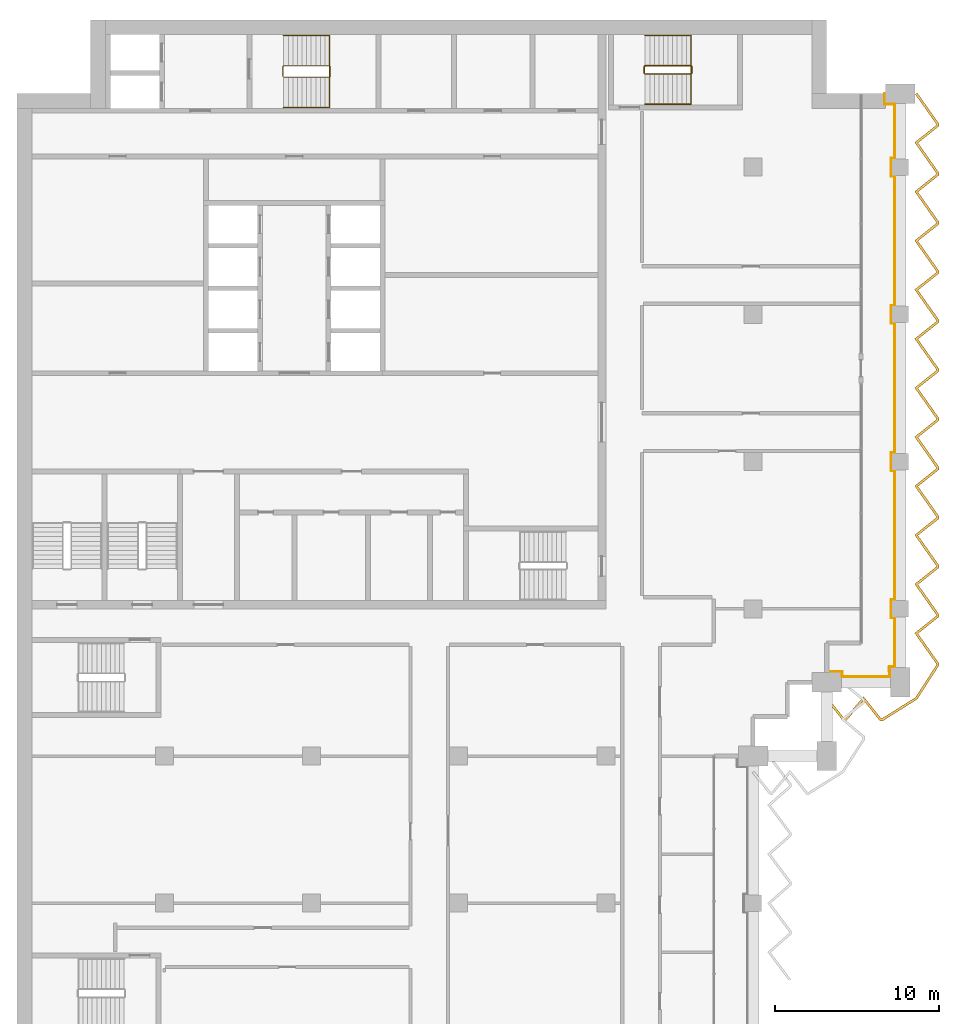
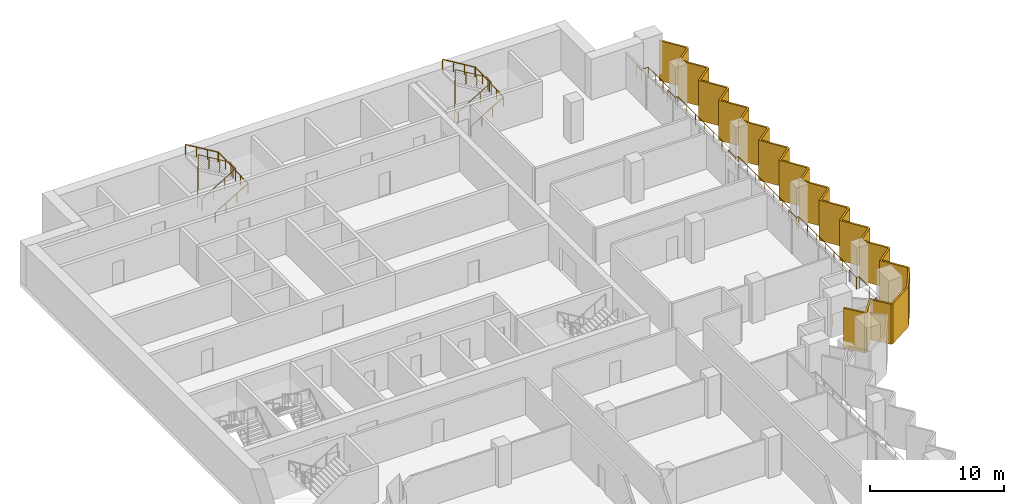
# One storey, part 17 of 17: 5 railings, 1 shading device.
"""IFC4 building model written with IfcOpenShell, lengths in metres."""

from ifc_helpers import new_model, si_unit, direction, frame, origin, origin_2d, place, context, subcontext, project, spatial, polyline, circle, outline, extrude, material, layer, layer_set, type_object, element, save


model = new_model("IFC4")

# Units and contexts
model_context = context("Model", 3, precision=1e-05, world=origin(), true_north=direction((0.0, 1.0)))
body_context = subcontext(model_context, "Body", "Model", "MODEL_VIEW")
ifc_project = project(units=[si_unit("LENGTHUNIT", "METRE"), si_unit("AREAUNIT", "SQUARE_METRE"), si_unit("VOLUMEUNIT", "CUBIC_METRE"), si_unit("PLANEANGLEUNIT", "RADIAN"), si_unit("MASSUNIT", "GRAM", prefix="KILO")], contexts=[model_context])

# Site, building, storey
site_placement = place(None, origin())
site = spatial("IfcSite", under=ifc_project, at=site_placement, CompositionType="ELEMENT")
building_placement = place(site_placement, origin())
building = spatial("IfcBuilding", under=site, at=building_placement, Name="Hunhe Ridgeline Campus", CompositionType="ELEMENT")
storey_placement = place(building_placement, frame((0.0, 0.0, 197.60009765625)))
storey = spatial("IfcBuildingStorey", under=building, at=storey_placement, Name="L50", CompositionType="ELEMENT", Elevation=197.60009765625)

# Railing
ifc_material_1 = material(Name="Steel Q355", Category="steel")
railing_type_1 = type_object("IfcRailingType", Name="Loggia guard 1100 Steel Q355", PredefinedType="GUARDRAIL", material=ifc_material_1)
railing_1_placement = place(storey_placement, frame((49.5, 59.169921875, 0.0)))
element("IfcRailing", 1, at=railing_1_placement, inside=storey, type_object=railing_type_1, Name="Loggia guard 2", PredefinedType="GUARDRAIL", context=body_context, shape_type="SweptSolid", body=[
    extrude(circle(Radius=0.02392578125, at=origin_2d()), frame((0.0, 0.0, 1.076171875), z_axis=(1.0, 0.0, 0.0), x_axis=(0.0, 1.0, 0.0)), (0.0, 0.0, 1.0), 0.949951171875),
    extrude(circle(Radius=0.02392578125, at=origin_2d()), frame((0.949951171875, 0.0, 1.076171875), z_axis=(0.0, -1.0, 0.0), x_axis=(1.0, 0.0, 0.0)), (0.0, 0.0, 1.0), 0.31982421875),
    extrude(circle(Radius=0.02392578125, at=origin_2d()), frame((0.949951171875, -0.31982421875, 1.076171875), z_axis=(1.0, 0.0, 0.0), x_axis=(0.0, 1.0, 0.0)), (0.0, 0.0, 1.0), 2.900146484375),
    extrude(circle(Radius=0.02392578125, at=origin_2d()), frame((3.85009765625, -0.31982421875, 1.076171875), z_axis=(0.0, 1.0, 0.0), x_axis=(-1.0, 0.0, 0.0)), (0.0, 0.0, 1.0), 0.619873046875),
    extrude(circle(Radius=0.02392578125, at=origin_2d()), frame((3.85009765625, 0.300048828125, 1.076171875), z_axis=(-0.066572895244, -0.99778156408, 0.0), x_axis=(0.99778156408, -0.066572895244, 0.0)), (0.0, 0.0, 1.0), 0.30078125),
    extrude(circle(Radius=0.02392578125, at=origin_2d()), frame((3.830078125, 0.0, 1.076171875), z_axis=(0.0, 1.0, 0.0), x_axis=(-1.0, 0.0, 0.0)), (0.0, 0.0, 1.0), 0.280029296875),
    extrude(circle(Radius=0.02392578125, at=origin_2d()), frame((3.830078125, 0.280029296875, 1.076171875), z_axis=(1.0, 0.0, 0.0), x_axis=(0.0, 1.0, 0.0)), (0.0, 0.0, 1.0), 0.31982421875),
    extrude(circle(Radius=0.02392578125, at=origin_2d()), frame((4.14990234375, 0.280029296875, 1.076171875), z_axis=(0.0, 1.0, 0.0), x_axis=(-1.0, 0.0, 0.0)), (0.0, 0.0, 1.0), 3.0),
    extrude(circle(Radius=0.02392578125, at=origin_2d()), frame((4.14990234375, 3.280029296875, 1.076171875), z_axis=(-1.0, 0.0, 0.0), x_axis=(0.0, -1.0, 0.0)), (0.0, 0.0, 1.0), 0.219970703125),
    extrude(circle(Radius=0.02392578125, at=origin_2d()), frame((3.929931640625, 3.280029296875, 1.076171875), z_axis=(0.0, 1.0, 0.0), x_axis=(-1.0, 0.0, 0.0)), (0.0, 0.0, 1.0), 1.10009765625),
    extrude(circle(Radius=0.02392578125, at=origin_2d()), frame((3.929931640625, 4.380126953125, 1.076171875), z_axis=(1.0, 0.0, 0.0), x_axis=(0.0, 1.0, 0.0)), (0.0, 0.0, 1.0), 0.219970703125),
    extrude(circle(Radius=0.02392578125, at=origin_2d()), frame((4.14990234375, 4.380126953125, 1.076171875), z_axis=(0.0, 1.0, 0.0), x_axis=(-1.0, 0.0, 0.0)), (0.0, 0.0, 1.0), 7.89990234375),
    extrude(circle(Radius=0.02392578125, at=origin_2d()), frame((4.14990234375, 12.280029296875, 1.076171875), z_axis=(-1.0, 0.0, 0.0), x_axis=(0.0, -1.0, 0.0)), (0.0, 0.0, 1.0), 0.219970703125),
    extrude(circle(Radius=0.02392578125, at=origin_2d()), frame((3.929931640625, 12.280029296875, 1.076171875), z_axis=(0.0, 1.0, 0.0), x_axis=(-1.0, 0.0, 0.0)), (0.0, 0.0, 1.0), 1.10009765625),
    extrude(circle(Radius=0.02392578125, at=origin_2d()), frame((3.929931640625, 13.380126953125, 1.076171875), z_axis=(1.0, 0.0, 0.0), x_axis=(0.0, 1.0, 0.0)), (0.0, 0.0, 1.0), 0.219970703125),
    extrude(circle(Radius=0.02392578125, at=origin_2d()), frame((4.14990234375, 13.380126953125, 1.076171875), z_axis=(0.0, 1.0, 0.0), x_axis=(-1.0, 0.0, 0.0)), (0.0, 0.0, 1.0), 7.89990234375),
    extrude(circle(Radius=0.02392578125, at=origin_2d()), frame((4.14990234375, 21.280029296875, 1.076171875), z_axis=(-1.0, 0.0, 0.0), x_axis=(0.0, -1.0, 0.0)), (0.0, 0.0, 1.0), 0.219970703125),
    extrude(circle(Radius=0.02392578125, at=origin_2d()), frame((3.929931640625, 21.280029296875, 1.076171875), z_axis=(0.0, 1.0, 0.0), x_axis=(-1.0, 0.0, 0.0)), (0.0, 0.0, 1.0), 1.10009765625),
    extrude(circle(Radius=0.02392578125, at=origin_2d()), frame((3.929931640625, 22.380126953125, 1.076171875), z_axis=(1.0, 0.0, 0.0), x_axis=(0.0, 1.0, 0.0)), (0.0, 0.0, 1.0), 0.219970703125),
    extrude(circle(Radius=0.02392578125, at=origin_2d()), frame((4.14990234375, 22.380126953125, 1.076171875), z_axis=(0.0, 1.0, 0.0), x_axis=(-1.0, 0.0, 0.0)), (0.0, 0.0, 1.0), 7.89990234375),
    extrude(circle(Radius=0.02392578125, at=origin_2d()), frame((4.14990234375, 30.280029296875, 1.076171875), z_axis=(-1.0, 0.0, 0.0), x_axis=(0.0, -1.0, 0.0)), (0.0, 0.0, 1.0), 0.219970703125),
    extrude(circle(Radius=0.02392578125, at=origin_2d()), frame((3.929931640625, 30.280029296875, 1.076171875), z_axis=(0.0, 1.0, 0.0), x_axis=(-1.0, 0.0, 0.0)), (0.0, 0.0, 1.0), 1.10009765625),
    extrude(circle(Radius=0.02392578125, at=origin_2d()), frame((3.929931640625, 31.380126953125, 1.076171875), z_axis=(1.0, 0.0, 0.0), x_axis=(0.0, 1.0, 0.0)), (0.0, 0.0, 1.0), 0.219970703125),
    extrude(circle(Radius=0.02392578125, at=origin_2d()), frame((4.14990234375, 31.380126953125, 1.076171875), z_axis=(0.0, 1.0, 0.0), x_axis=(-1.0, 0.0, 0.0)), (0.0, 0.0, 1.0), 3.300048828125),
    extrude(circle(Radius=0.02392578125, at=origin_2d()), frame((4.14990234375, 34.68017578125, 1.076171875), z_axis=(-1.0, 0.0, 0.0), x_axis=(0.0, -1.0, 0.0)), (0.0, 0.0, 1.0), 0.619873046875),
    extrude(circle(Radius=0.02392578125, at=origin_2d()), frame((3.530029296875, 34.68017578125, 1.076171875), z_axis=(0.0, 1.0, 0.0), x_axis=(-1.0, 0.0, 0.0)), (0.0, 0.0, 1.0), 0.64990234375),
    extrude(circle(Radius=0.02099609375, at=origin_2d()), origin(), (0.0, 0.0, 1.0), 1.052001953125),
    extrude(circle(Radius=0.02099609375, at=origin_2d()), frame((0.949951171875, 0.0, 0.0)), (0.0, 0.0, 1.0), 1.052001953125),
    extrude(circle(Radius=0.02099609375, at=origin_2d()), frame((0.949951171875, -0.31982421875, 0.0)), (0.0, 0.0, 1.0), 1.052001953125),
    extrude(circle(Radius=0.02099609375, at=origin_2d()), frame((2.39990234375, -0.31982421875, 0.0)), (0.0, 0.0, 1.0), 1.052001953125),
    extrude(circle(Radius=0.02099609375, at=origin_2d()), frame((3.85009765625, -0.31982421875, 0.0)), (0.0, 0.0, 1.0), 1.052001953125),
    extrude(circle(Radius=0.02099609375, at=origin_2d()), frame((3.85009765625, 0.300048828125, 0.0)), (0.0, 0.0, 1.0), 1.052001953125),
    extrude(circle(Radius=0.02099609375, at=origin_2d()), frame((3.830078125, 0.0, 0.0)), (0.0, 0.0, 1.0), 1.052001953125),
    extrude(circle(Radius=0.02099609375, at=origin_2d()), frame((3.830078125, 0.280029296875, 0.0)), (0.0, 0.0, 1.0), 1.052001953125),
    extrude(circle(Radius=0.02099609375, at=origin_2d()), frame((4.14990234375, 0.280029296875, 0.0)), (0.0, 0.0, 1.0), 1.052001953125),
    extrude(circle(Radius=0.02099609375, at=origin_2d()), frame((4.14990234375, 1.780029296875, 0.0)), (0.0, 0.0, 1.0), 1.052001953125),
    extrude(circle(Radius=0.02099609375, at=origin_2d()), frame((4.14990234375, 3.280029296875, 0.0)), (0.0, 0.0, 1.0), 1.052001953125),
    extrude(circle(Radius=0.02099609375, at=origin_2d()), frame((3.929931640625, 3.280029296875, 0.0)), (0.0, 0.0, 1.0), 1.052001953125),
    extrude(circle(Radius=0.02099609375, at=origin_2d()), frame((3.929931640625, 4.380126953125, 0.0)), (0.0, 0.0, 1.0), 1.052001953125),
    extrude(circle(Radius=0.02099609375, at=origin_2d()), frame((4.14990234375, 4.380126953125, 0.0)), (0.0, 0.0, 1.0), 1.052001953125),
    extrude(circle(Radius=0.02099609375, at=origin_2d()), frame((4.14990234375, 5.69677734375, 0.0)), (0.0, 0.0, 1.0), 1.052001953125),
    extrude(circle(Radius=0.02099609375, at=origin_2d()), frame((4.14990234375, 7.013427734375, 0.0)), (0.0, 0.0, 1.0), 1.052001953125),
    extrude(circle(Radius=0.02099609375, at=origin_2d()), frame((4.14990234375, 8.330078125, 0.0)), (0.0, 0.0, 1.0), 1.052001953125),
    extrude(circle(Radius=0.02099609375, at=origin_2d()), frame((4.14990234375, 9.646728515625, 0.0)), (0.0, 0.0, 1.0), 1.052001953125),
    extrude(circle(Radius=0.02099609375, at=origin_2d()), frame((4.14990234375, 10.96337890625, 0.0)), (0.0, 0.0, 1.0), 1.052001953125),
    extrude(circle(Radius=0.02099609375, at=origin_2d()), frame((4.14990234375, 12.280029296875, 0.0)), (0.0, 0.0, 1.0), 1.052001953125),
    extrude(circle(Radius=0.02099609375, at=origin_2d()), frame((3.929931640625, 12.280029296875, 0.0)), (0.0, 0.0, 1.0), 1.052001953125),
    extrude(circle(Radius=0.02099609375, at=origin_2d()), frame((3.929931640625, 13.380126953125, 0.0)), (0.0, 0.0, 1.0), 1.052001953125),
    extrude(circle(Radius=0.02099609375, at=origin_2d()), frame((4.14990234375, 13.380126953125, 0.0)), (0.0, 0.0, 1.0), 1.052001953125),
    extrude(circle(Radius=0.02099609375, at=origin_2d()), frame((4.14990234375, 14.69677734375, 0.0)), (0.0, 0.0, 1.0), 1.052001953125),
    extrude(circle(Radius=0.02099609375, at=origin_2d()), frame((4.14990234375, 16.013427734375, 0.0)), (0.0, 0.0, 1.0), 1.052001953125),
    extrude(circle(Radius=0.02099609375, at=origin_2d()), frame((4.14990234375, 17.330078125, 0.0)), (0.0, 0.0, 1.0), 1.052001953125),
    extrude(circle(Radius=0.02099609375, at=origin_2d()), frame((4.14990234375, 18.646728515625, 0.0)), (0.0, 0.0, 1.0), 1.052001953125),
    extrude(circle(Radius=0.02099609375, at=origin_2d()), frame((4.14990234375, 19.96337890625, 0.0)), (0.0, 0.0, 1.0), 1.052001953125),
    extrude(circle(Radius=0.02099609375, at=origin_2d()), frame((4.14990234375, 21.280029296875, 0.0)), (0.0, 0.0, 1.0), 1.052001953125),
    extrude(circle(Radius=0.02099609375, at=origin_2d()), frame((3.929931640625, 21.280029296875, 0.0)), (0.0, 0.0, 1.0), 1.052001953125),
    extrude(circle(Radius=0.02099609375, at=origin_2d()), frame((3.929931640625, 22.380126953125, 0.0)), (0.0, 0.0, 1.0), 1.052001953125),
    extrude(circle(Radius=0.02099609375, at=origin_2d()), frame((4.14990234375, 22.380126953125, 0.0)), (0.0, 0.0, 1.0), 1.052001953125),
    extrude(circle(Radius=0.02099609375, at=origin_2d()), frame((4.14990234375, 23.69677734375, 0.0)), (0.0, 0.0, 1.0), 1.052001953125),
    extrude(circle(Radius=0.02099609375, at=origin_2d()), frame((4.14990234375, 25.013427734375, 0.0)), (0.0, 0.0, 1.0), 1.052001953125),
    extrude(circle(Radius=0.02099609375, at=origin_2d()), frame((4.14990234375, 26.330078125, 0.0)), (0.0, 0.0, 1.0), 1.052001953125),
    extrude(circle(Radius=0.02099609375, at=origin_2d()), frame((4.14990234375, 27.646728515625, 0.0)), (0.0, 0.0, 1.0), 1.052001953125),
    extrude(circle(Radius=0.02099609375, at=origin_2d()), frame((4.14990234375, 28.96337890625, 0.0)), (0.0, 0.0, 1.0), 1.052001953125),
    extrude(circle(Radius=0.02099609375, at=origin_2d()), frame((4.14990234375, 30.280029296875, 0.0)), (0.0, 0.0, 1.0), 1.052001953125),
    extrude(circle(Radius=0.02099609375, at=origin_2d()), frame((3.929931640625, 30.280029296875, 0.0)), (0.0, 0.0, 1.0), 1.052001953125),
    extrude(circle(Radius=0.02099609375, at=origin_2d()), frame((3.929931640625, 31.380126953125, 0.0)), (0.0, 0.0, 1.0), 1.052001953125),
    extrude(circle(Radius=0.02099609375, at=origin_2d()), frame((4.14990234375, 31.380126953125, 0.0)), (0.0, 0.0, 1.0), 1.052001953125),
    extrude(circle(Radius=0.02099609375, at=origin_2d()), frame((4.14990234375, 32.480224609375, 0.0)), (0.0, 0.0, 1.0), 1.052001953125),
    extrude(circle(Radius=0.02099609375, at=origin_2d()), frame((4.14990234375, 33.580078125, 0.0)), (0.0, 0.0, 1.0), 1.052001953125),
    extrude(circle(Radius=0.02099609375, at=origin_2d()), frame((4.14990234375, 34.68017578125, 0.0)), (0.0, 0.0, 1.0), 1.052001953125),
    extrude(circle(Radius=0.02099609375, at=origin_2d()), frame((3.530029296875, 34.68017578125, 0.0)), (0.0, 0.0, 1.0), 1.052001953125),
    extrude(circle(Radius=0.02099609375, at=origin_2d()), frame((3.530029296875, 35.330078125, 0.0)), (0.0, 0.0, 1.0), 1.052001953125),
])

# Shading device
ifc_material_2 = material(Name="Concrete C50", Category="concrete")
ifc_layer = layer(ifc_material_2, 0.14990234375)
ifc_layer_set = layer_set([ifc_layer], Name="Sawtooth concrete fin 150 Concrete C50")
shading_device_type = type_object("IfcShadingDeviceType", Name="Sawtooth concrete fin 150 Concrete C50", PredefinedType="USERDEFINED", material=ifc_layer_set)
shading_device_placement = place(storey_placement, frame((0.0, 0.0, -0.9501953125)))
element("IfcShadingDevice", 2, at=shading_device_placement, inside=storey, type_object=shading_device_type, Name="Concrete fin screen 3", ObjectType="FIN", PredefinedType="USERDEFINED", context=body_context, shape_type="SweptSolid", body=[
    extrude(outline(polyline([(49.55859375, 57.57177734375), (49.44140625, 57.478271484375), (50.500732421875, 56.14990234375), (50.69189453125, 56.14990234375), (51.74853515625, 57.40673828125), (52.750732421875, 56.14990234375), (52.928466796875, 56.14990234375), (55.029052734375, 57.470458984375), (56.35009765625, 59.5146484375), (56.35009765625, 59.6806640625), (55.0771484375, 61.4853515625), (56.35009765625, 62.500732421875), (56.35009765625, 62.6806640625), (55.0771484375, 64.4853515625), (56.35009765625, 65.500732421875), (56.35009765625, 65.6806640625), (55.0771484375, 67.4853515625), (56.35009765625, 68.500732421875), (56.35009765625, 68.6806640625), (55.0771484375, 70.4853515625), (56.35009765625, 71.500732421875), (56.35009765625, 71.6806640625), (55.0771484375, 73.4853515625), (56.35009765625, 74.500732421875), (56.35009765625, 74.6806640625), (55.0771484375, 76.4853515625), (56.35009765625, 77.500732421875), (56.35009765625, 77.6806640625), (55.0771484375, 79.4853515625), (56.35009765625, 80.500732421875), (56.35009765625, 80.6806640625), (55.0771484375, 82.4853515625), (56.35009765625, 83.500732421875), (56.35009765625, 83.6806640625), (55.0771484375, 85.4853515625), (56.35009765625, 86.500732421875), (56.35009765625, 86.6806640625), (55.0771484375, 88.4853515625), (56.35009765625, 89.500732421875), (56.35009765625, 89.6806640625), (55.0771484375, 91.4853515625), (56.35009765625, 92.500732421875), (56.35009765625, 92.6806640625), (55.036376953125, 94.543212890625), (54.913818359375, 94.456787109375), (56.199951171875, 92.633056640625), (56.199951171875, 92.572998046875), (54.873046875, 91.5146484375), (56.199951171875, 89.633056640625), (56.199951171875, 89.572998046875), (54.873046875, 88.5146484375), (56.199951171875, 86.633056640625), (56.199951171875, 86.572998046875), (54.873046875, 85.5146484375), (56.199951171875, 83.633056640625), (56.199951171875, 83.572998046875), (54.873046875, 82.5146484375), (56.199951171875, 80.633056640625), (56.199951171875, 80.572998046875), (54.873046875, 79.5146484375), (56.199951171875, 77.633056640625), (56.199951171875, 77.572998046875), (54.873046875, 76.5146484375), (56.199951171875, 74.633056640625), (56.199951171875, 74.572998046875), (54.873046875, 73.5146484375), (56.199951171875, 71.633056640625), (56.199951171875, 71.572998046875), (54.873046875, 70.5146484375), (56.199951171875, 68.633056640625), (56.199951171875, 68.572998046875), (54.873046875, 67.5146484375), (56.199951171875, 65.633056640625), (56.199951171875, 65.572998046875), (54.873046875, 64.5146484375), (56.199951171875, 62.633056640625), (56.199951171875, 62.572998046875), (54.873046875, 61.5146484375), (56.199951171875, 59.633056640625), (56.199951171875, 59.55908203125), (54.921142578125, 57.57958984375), (52.88525390625, 56.300048828125), (52.822998046875, 56.300048828125), (51.75146484375, 57.643310546875), (50.621826171875, 56.300048828125), (50.572998046875, 56.300048828125), (49.55859375, 57.57177734375)])), origin(), (0.0, 0.0, 1.0), 3.650146484375),
])

# Railings
ifc_material_3 = material(Name="Stainless steel balustrade", Category="steel")
railing_type_2 = type_object("IfcRailingType", Name="Stair guard 1100 stainless", PredefinedType="GUARDRAIL", material=ifc_material_3)
railing_2_placement = place(storey_placement, frame((16.300048828125, 95.5, 0.16796875)))
element("IfcRailing", 3, at=railing_2_placement, inside=storey, type_object=railing_type_2, Name="L50 stair S1 guard", PredefinedType="GUARDRAIL", context=body_context, shape_type="SweptSolid", body=[
    extrude(circle(Radius=0.02392578125, at=origin_2d()), frame((0.0, 0.0, 1.076171875), z_axis=(0.857242210791, 0.0, 0.514913383045), x_axis=(0.0, 1.0, 0.0)), (0.0, 0.0, 1.0), 3.266357421875),
    extrude(circle(Radius=0.02392578125, at=origin_2d()), frame((2.800048828125, 0.0, 2.7578125), z_axis=(0.705375805398, 0.708833529934, 0.0), x_axis=(-0.708833529934, 0.705375805398, 0.0)), (0.0, 0.0, 1.0), 0.070556640625),
    extrude(circle(Radius=0.02392578125, at=origin_2d()), frame((2.849853515625, 0.050048828125, 2.7578125), z_axis=(0.0, 1.0, 0.0), x_axis=(-1.0, 0.0, 0.0)), (0.0, 0.0, 1.0), 0.599853515625),
    extrude(circle(Radius=0.02392578125, at=origin_2d()), frame((2.849853515625, 0.64990234375, 2.7578125), z_axis=(-0.273006030465, 0.27434429532, 0.922064485248), x_axis=(-0.708833529934, -0.705375805398, 0.0)), (0.0, 0.0, 1.0), 0.182373046875),
    extrude(circle(Radius=0.02392578125, at=origin_2d()), frame((2.800048828125, 0.699951171875, 2.92626953125), z_axis=(-0.857242210791, 0.0, 0.514913383045), x_axis=(0.0, -1.0, 0.0)), (0.0, 0.0, 1.0), 3.266357421875),
    extrude(circle(Radius=0.02392578125, at=origin_2d()), frame((0.0, 0.699951171875, 4.60791015625), z_axis=(-0.013524414389, -0.013524414389, -0.999817073484), x_axis=(0.707106781187, -0.707106781187, 0.0)), (0.0, 0.0, 1.0), 3.70068359375),
    extrude(circle(Radius=0.02392578125, at=origin_2d()), frame((-0.050048828125, 0.64990234375, 0.908203125), z_axis=(0.0, -1.0, 0.0), x_axis=(1.0, 0.0, 0.0)), (0.0, 0.0, 1.0), 0.599853515625),
    extrude(circle(Radius=0.02099609375, at=origin_2d()), origin(), (0.0, 0.0, 1.0), 1.052001953125),
    extrude(circle(Radius=0.02099609375, at=origin_2d()), frame((0.933349609375, 0.0, 0.560546875)), (0.0, 0.0, 1.0), 1.052001953125),
    extrude(circle(Radius=0.02099609375, at=origin_2d()), frame((1.86669921875, 0.0, 1.121337890625)), (0.0, 0.0, 1.0), 1.052001953125),
    extrude(circle(Radius=0.02099609375, at=origin_2d()), frame((2.800048828125, 0.0, 1.681884765625)), (0.0, 0.0, 1.0), 1.052001953125),
    extrude(circle(Radius=0.02099609375, at=origin_2d()), frame((2.849853515625, 0.050048828125, 1.681884765625)), (0.0, 0.0, 1.0), 1.052001953125),
    extrude(circle(Radius=0.02099609375, at=origin_2d()), frame((2.849853515625, 0.64990234375, 1.681884765625)), (0.0, 0.0, 1.0), 1.052001953125),
    extrude(circle(Radius=0.02099609375, at=origin_2d()), frame((2.800048828125, 0.699951171875, 1.85009765625)), (0.0, 0.0, 1.0), 1.052001953125),
    extrude(circle(Radius=0.02099609375, at=origin_2d()), frame((1.86669921875, 0.699951171875, 2.41064453125)), (0.0, 0.0, 1.0), 1.052001953125),
    extrude(circle(Radius=0.02099609375, at=origin_2d()), frame((0.933349609375, 0.699951171875, 2.971435546875)), (0.0, 0.0, 1.0), 1.052001953125),
    extrude(circle(Radius=0.02099609375, at=origin_2d()), frame((0.0, 0.699951171875, 3.531982421875)), (0.0, 0.0, 1.0), 1.052001953125),
    extrude(circle(Radius=0.02099609375, at=origin_2d()), frame((-0.012451171875, 0.6875, 2.60693359375)), (0.0, 0.0, 1.0), 1.052001953125),
    extrude(circle(Radius=0.02099609375, at=origin_2d()), frame((-0.02490234375, 0.6748046875, 1.68212890625)), (0.0, 0.0, 1.0), 1.052001953125),
    extrude(circle(Radius=0.02099609375, at=origin_2d()), frame((-0.03759765625, 0.662353515625, 0.757080078125)), (0.0, 0.0, 1.0), 1.052001953125),
    extrude(circle(Radius=0.02099609375, at=origin_2d()), frame((-0.050048828125, 0.64990234375, -0.16796875)), (0.0, 0.0, 1.0), 1.052001953125),
    extrude(circle(Radius=0.02099609375, at=origin_2d()), frame((-0.050048828125, 0.050048828125, -0.16796875)), (0.0, 0.0, 1.0), 1.052001953125),
])
railing_3_placement = place(storey_placement, frame((38.39990234375, 95.699951171875, 0.16796875)))
element("IfcRailing", 4, at=railing_3_placement, inside=storey, type_object=railing_type_2, Name="L50 stair E1 guard", PredefinedType="GUARDRAIL", context=body_context, shape_type="SweptSolid", body=[
    extrude(circle(Radius=0.02392578125, at=origin_2d()), frame((0.0, 0.0, 1.076171875), z_axis=(0.857242210791, 0.0, 0.514913383045), x_axis=(0.0, 1.0, 0.0)), (0.0, 0.0, 1.0), 3.266357421875),
    extrude(circle(Radius=0.02392578125, at=origin_2d()), frame((2.800048828125, 0.0, 2.7578125), z_axis=(0.707106781187, 0.707106781187, 0.0), x_axis=(-0.707106781187, 0.707106781187, 0.0)), (0.0, 0.0, 1.0), 0.07080078125),
    extrude(circle(Radius=0.02392578125, at=origin_2d()), frame((2.85009765625, 0.050048828125, 2.7578125), z_axis=(0.0, 1.0, 0.0), x_axis=(-1.0, 0.0, 0.0)), (0.0, 0.0, 1.0), 0.39990234375),
    extrude(circle(Radius=0.02392578125, at=origin_2d()), frame((2.85009765625, 0.449951171875, 2.7578125), z_axis=(-0.274243871929, 0.274243871929, 0.92172696468), x_axis=(-0.707106781187, -0.707106781187, 0.0)), (0.0, 0.0, 1.0), 0.1826171875),
    extrude(circle(Radius=0.02392578125, at=origin_2d()), frame((2.800048828125, 0.5, 2.92626953125), z_axis=(-0.857242210791, 0.0, 0.514913383045), x_axis=(0.0, -1.0, 0.0)), (0.0, 0.0, 1.0), 3.266357421875),
    extrude(circle(Radius=0.02392578125, at=origin_2d()), frame((0.0, 0.5, 4.60791015625), z_axis=(-0.013458453615, -0.013524426427, -0.999817963389), x_axis=(0.708833529934, -0.705375805398, 0.0)), (0.0, 0.0, 1.0), 3.70068359375),
    extrude(circle(Radius=0.02392578125, at=origin_2d()), frame((-0.0498046875, 0.449951171875, 0.908203125), z_axis=(0.0, -1.0, 0.0), x_axis=(1.0, 0.0, 0.0)), (0.0, 0.0, 1.0), 0.39990234375),
    extrude(circle(Radius=0.02099609375, at=origin_2d()), origin(), (0.0, 0.0, 1.0), 1.052001953125),
    extrude(circle(Radius=0.02099609375, at=origin_2d()), frame((0.933349609375, 0.0, 0.560546875)), (0.0, 0.0, 1.0), 1.052001953125),
    extrude(circle(Radius=0.02099609375, at=origin_2d()), frame((1.86669921875, 0.0, 1.121337890625)), (0.0, 0.0, 1.0), 1.052001953125),
    extrude(circle(Radius=0.02099609375, at=origin_2d()), frame((2.800048828125, 0.0, 1.681884765625)), (0.0, 0.0, 1.0), 1.052001953125),
    extrude(circle(Radius=0.02099609375, at=origin_2d()), frame((2.85009765625, 0.050048828125, 1.681884765625)), (0.0, 0.0, 1.0), 1.052001953125),
    extrude(circle(Radius=0.02099609375, at=origin_2d()), frame((2.85009765625, 0.449951171875, 1.681884765625)), (0.0, 0.0, 1.0), 1.052001953125),
    extrude(circle(Radius=0.02099609375, at=origin_2d()), frame((2.800048828125, 0.5, 1.85009765625)), (0.0, 0.0, 1.0), 1.052001953125),
    extrude(circle(Radius=0.02099609375, at=origin_2d()), frame((1.86669921875, 0.5, 2.41064453125)), (0.0, 0.0, 1.0), 1.052001953125),
    extrude(circle(Radius=0.02099609375, at=origin_2d()), frame((0.933349609375, 0.5, 2.971435546875)), (0.0, 0.0, 1.0), 1.052001953125),
    extrude(circle(Radius=0.02099609375, at=origin_2d()), frame((0.0, 0.5, 3.531982421875)), (0.0, 0.0, 1.0), 1.052001953125),
    extrude(circle(Radius=0.02099609375, at=origin_2d()), frame((-0.012451171875, 0.487548828125, 2.60693359375)), (0.0, 0.0, 1.0), 1.052001953125),
    extrude(circle(Radius=0.02099609375, at=origin_2d()), frame((-0.02490234375, 0.47509765625, 1.68212890625)), (0.0, 0.0, 1.0), 1.052001953125),
    extrude(circle(Radius=0.02099609375, at=origin_2d()), frame((-0.037353515625, 0.46240234375, 0.757080078125)), (0.0, 0.0, 1.0), 1.052001953125),
    extrude(circle(Radius=0.02099609375, at=origin_2d()), frame((-0.0498046875, 0.449951171875, -0.16796875)), (0.0, 0.0, 1.0), 1.052001953125),
    extrude(circle(Radius=0.02099609375, at=origin_2d()), frame((-0.0498046875, 0.050048828125, -0.16796875)), (0.0, 0.0, 1.0), 1.052001953125),
])
ifc_material_4 = material(Name="Stainless steel handrail", Category="steel")
railing_type_3 = type_object("IfcRailingType", Name="Stair handrail 900 stainless", PredefinedType="HANDRAIL", material=ifc_material_4)
railing_4_placement = place(storey_placement, frame((16.300048828125, 93.64990234375, 0.16796875)))
element("IfcRailing", 5, at=railing_4_placement, inside=storey, type_object=railing_type_3, Name="L50 stair S1 handrail", PredefinedType="HANDRAIL", context=body_context, shape_type="SweptSolid", body=[
    extrude(circle(Radius=0.02392578125, at=origin_2d()), frame((0.0, 0.0, 0.8759765625), z_axis=(0.857242210791, 0.0, 0.514913383045), x_axis=(0.0, 1.0, 0.0)), (0.0, 0.0, 1.0), 3.266357421875),
    extrude(circle(Radius=0.02392578125, at=origin_2d()), frame((2.800048828125, 0.0, 2.5576171875), z_axis=(0.0, 0.999270074432, 0.038201025428), x_axis=(-1.0, 0.0, 0.0)), (0.0, 0.0, 1.0), 4.4033203125),
    extrude(circle(Radius=0.02392578125, at=origin_2d()), frame((2.800048828125, 4.400146484375, 2.72607421875), z_axis=(-0.857242210791, 0.0, 0.514913383045), x_axis=(0.0, -1.0, 0.0)), (0.0, 0.0, 1.0), 3.266357421875),
    extrude(circle(Radius=0.02099609375, at=origin_2d()), origin(), (0.0, 0.0, 1.0), 0.851806640625),
    extrude(circle(Radius=0.02099609375, at=origin_2d()), frame((0.933349609375, 0.0, 0.560546875)), (0.0, 0.0, 1.0), 0.851806640625),
    extrude(circle(Radius=0.02099609375, at=origin_2d()), frame((1.86669921875, 0.0, 1.121337890625)), (0.0, 0.0, 1.0), 0.851806640625),
    extrude(circle(Radius=0.02099609375, at=origin_2d()), frame((2.800048828125, 0.0, 1.681884765625)), (0.0, 0.0, 1.0), 0.851806640625),
    extrude(circle(Radius=0.02099609375, at=origin_2d()), frame((2.800048828125, 1.10009765625, 1.723876953125)), (0.0, 0.0, 1.0), 0.851806640625),
    extrude(circle(Radius=0.02099609375, at=origin_2d()), frame((2.800048828125, 2.2001953125, 1.76611328125)), (0.0, 0.0, 1.0), 0.851806640625),
    extrude(circle(Radius=0.02099609375, at=origin_2d()), frame((2.800048828125, 3.300048828125, 1.80810546875)), (0.0, 0.0, 1.0), 0.851806640625),
    extrude(circle(Radius=0.02099609375, at=origin_2d()), frame((2.800048828125, 4.400146484375, 1.85009765625)), (0.0, 0.0, 1.0), 0.851806640625),
    extrude(circle(Radius=0.02099609375, at=origin_2d()), frame((1.86669921875, 4.400146484375, 2.41064453125)), (0.0, 0.0, 1.0), 0.851806640625),
    extrude(circle(Radius=0.02099609375, at=origin_2d()), frame((0.933349609375, 4.400146484375, 2.971435546875)), (0.0, 0.0, 1.0), 0.851806640625),
    extrude(circle(Radius=0.02099609375, at=origin_2d()), frame((0.0, 4.400146484375, 3.531982421875)), (0.0, 0.0, 1.0), 0.851806640625),
])
railing_5_placement = place(storey_placement, frame((38.39990234375, 93.85009765625, 0.16796875)))
element("IfcRailing", 6, at=railing_5_placement, inside=storey, type_object=railing_type_3, Name="L50 stair E1 handrail", PredefinedType="HANDRAIL", context=body_context, shape_type="SweptSolid", body=[
    extrude(circle(Radius=0.02392578125, at=origin_2d()), frame((0.0, 0.0, 0.8759765625), z_axis=(0.857242210791, 0.0, 0.514913383045), x_axis=(0.0, 1.0, 0.0)), (0.0, 0.0, 1.0), 3.266357421875),
    extrude(circle(Radius=0.02392578125, at=origin_2d()), frame((2.800048828125, 0.0, 2.5576171875), z_axis=(0.0, 0.999198916169, 0.040019069537), x_axis=(-1.0, 0.0, 0.0)), (0.0, 0.0, 1.0), 4.203369140625),
    extrude(circle(Radius=0.02392578125, at=origin_2d()), frame((2.800048828125, 4.199951171875, 2.72607421875), z_axis=(-0.857242210791, 0.0, 0.514913383045), x_axis=(0.0, -1.0, 0.0)), (0.0, 0.0, 1.0), 3.266357421875),
    extrude(circle(Radius=0.02099609375, at=origin_2d()), origin(), (0.0, 0.0, 1.0), 0.851806640625),
    extrude(circle(Radius=0.02099609375, at=origin_2d()), frame((0.933349609375, 0.0, 0.560546875)), (0.0, 0.0, 1.0), 0.851806640625),
    extrude(circle(Radius=0.02099609375, at=origin_2d()), frame((1.86669921875, 0.0, 1.121337890625)), (0.0, 0.0, 1.0), 0.851806640625),
    extrude(circle(Radius=0.02099609375, at=origin_2d()), frame((2.800048828125, 0.0, 1.681884765625)), (0.0, 0.0, 1.0), 0.851806640625),
    extrude(circle(Radius=0.02099609375, at=origin_2d()), frame((2.800048828125, 1.050048828125, 1.723876953125)), (0.0, 0.0, 1.0), 0.851806640625),
    extrude(circle(Radius=0.02099609375, at=origin_2d()), frame((2.800048828125, 2.10009765625, 1.76611328125)), (0.0, 0.0, 1.0), 0.851806640625),
    extrude(circle(Radius=0.02099609375, at=origin_2d()), frame((2.800048828125, 3.14990234375, 1.80810546875)), (0.0, 0.0, 1.0), 0.851806640625),
    extrude(circle(Radius=0.02099609375, at=origin_2d()), frame((2.800048828125, 4.199951171875, 1.85009765625)), (0.0, 0.0, 1.0), 0.851806640625),
    extrude(circle(Radius=0.02099609375, at=origin_2d()), frame((1.86669921875, 4.199951171875, 2.41064453125)), (0.0, 0.0, 1.0), 0.851806640625),
    extrude(circle(Radius=0.02099609375, at=origin_2d()), frame((0.933349609375, 4.199951171875, 2.971435546875)), (0.0, 0.0, 1.0), 0.851806640625),
    extrude(circle(Radius=0.02099609375, at=origin_2d()), frame((0.0, 4.199951171875, 3.531982421875)), (0.0, 0.0, 1.0), 0.851806640625),
])

save(model, "model.ifc")
